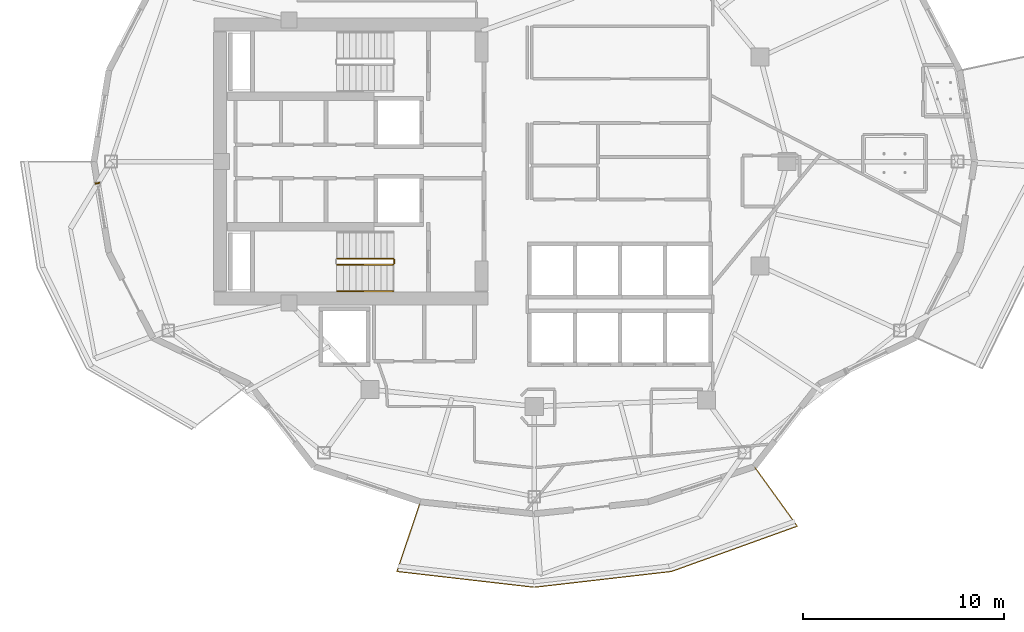
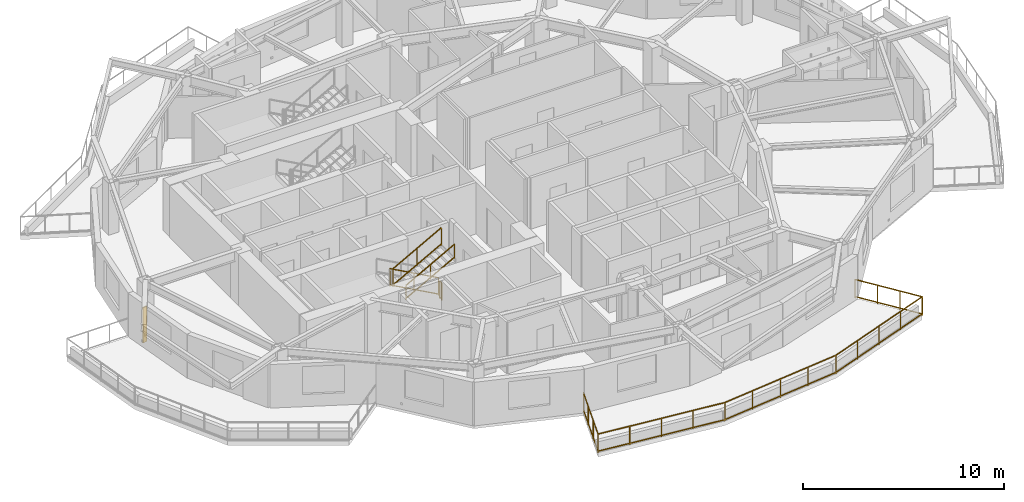
# One storey, part 11 of 14: 5 railings, 1 shading device.
"""IFC4 building model written with IfcOpenShell, lengths in metres."""

from ifc_helpers import new_model, si_unit, direction, frame, origin, origin_2d, place, context, subcontext, project, spatial, rectangle, extrude, material, type_object, element, save


model = new_model("IFC4")

# Units and contexts
model_context = context("Model", 3, precision=1e-05, world=origin(), true_north=direction((0.0, 1.0)))
body_context = subcontext(model_context, "Body", "Model", "MODEL_VIEW")
ifc_project = project(units=[si_unit("LENGTHUNIT", "METRE"), si_unit("AREAUNIT", "SQUARE_METRE"), si_unit("VOLUMEUNIT", "CUBIC_METRE"), si_unit("PLANEANGLEUNIT", "RADIAN"), si_unit("MASSUNIT", "GRAM", prefix="KILO")], contexts=[model_context])

# Site, building, storey
site_placement = place(None, origin())
site = spatial("IfcSite", under=ifc_project, at=site_placement, CompositionType="ELEMENT")
building_placement = place(site_placement, origin())
building = spatial("IfcBuilding", under=site, at=building_placement, Name="Kolvaren Gate Tower and Convention Centre", CompositionType="ELEMENT")
storey_placement = place(building_placement, frame((0.0, 0.0, 173.300048828125)))
storey = spatial("IfcBuildingStorey", under=building, at=storey_placement, Name="L45", CompositionType="ELEMENT", Elevation=173.300048828125)

# Railings
ifc_material_1 = material(Name="Brushed Stainless Steel Grade 316L", Category="steel")
railing_type_1 = type_object("IfcRailingType", Name="ARCH-RL-GUARD-1150", PredefinedType="GUARDRAIL", material=ifc_material_1)
railing_1_placement = place(storey_placement, frame((23.10009765625, 22.169921875, 0.169921875)))
element("IfcRailing", 1, at=railing_1_placement, inside=storey, type_object=railing_type_1, Name="L45 ST-T2 stair guard 1", PredefinedType="GUARDRAIL", context=body_context, shape_type="SweptSolid", body=[
    extrude(rectangle(XDim=0.048095703125, YDim=0.048095703125, at=origin_2d()), frame((0.0, 0.0, 1.076171875), z_axis=(-0.876811365212, 0.0, 0.480834513982), x_axis=(0.0, -1.0, 0.0)), (0.0, 0.0, 1.0), 3.18212890625),
    extrude(rectangle(XDim=0.048095703125, YDim=0.048095703125, at=origin_2d()), frame((0.0, 0.0, 0.083984375), z_axis=(-0.876811365212, 0.0, 0.480834513982), x_axis=(0.0, -1.0, 0.0)), (0.0, 0.0, 1.0), 3.18212890625),
    extrude(rectangle(XDim=0.0419921875, YDim=0.0419921875, at=origin_2d()), origin(), (0.0, 0.0, 1.0), 1.050048828125),
    extrude(rectangle(XDim=0.0419921875, YDim=0.0419921875, at=origin_2d()), frame((-2.7900390625, 0.0, 1.530029296875)), (0.0, 0.0, 1.0), 1.050048828125),
    extrude(rectangle(XDim=0.0419921875, YDim=0.0419921875, at=origin_2d()), frame((-1.39501953125, 0.0, 0.76513671875)), (0.0, 0.0, 1.0), 1.050048828125),
])
railing_2_placement = place(storey_placement, frame((20.31005859375, 21.8701171875, 1.869873046875)))
element("IfcRailing", 2, at=railing_2_placement, inside=storey, type_object=railing_type_1, Name="L45 ST-T2 stair guard 3", PredefinedType="GUARDRAIL", context=body_context, shape_type="SweptSolid", body=[
    extrude(rectangle(XDim=0.048095703125, YDim=0.048095703125, at=origin_2d()), frame((0.0, 0.0, 1.076171875), z_axis=(0.876811365212, 0.0, 0.480834513982), x_axis=(0.0, 1.0, 0.0)), (0.0, 0.0, 1.0), 3.18212890625),
    extrude(rectangle(XDim=0.048095703125, YDim=0.048095703125, at=origin_2d()), frame((0.0, 0.0, 0.083984375), z_axis=(0.876811365212, 0.0, 0.480834513982), x_axis=(0.0, 1.0, 0.0)), (0.0, 0.0, 1.0), 3.18212890625),
    extrude(rectangle(XDim=0.0419921875, YDim=0.0419921875, at=origin_2d()), origin(), (0.0, 0.0, 1.0), 1.050048828125),
    extrude(rectangle(XDim=0.0419921875, YDim=0.0419921875, at=origin_2d()), frame((2.7900390625, 0.0, 1.530029296875)), (0.0, 0.0, 1.0), 1.050048828125),
    extrude(rectangle(XDim=0.0419921875, YDim=0.0419921875, at=origin_2d()), frame((1.39501953125, 0.0, 0.76513671875)), (0.0, 0.0, 1.0), 1.050048828125),
])
railing_3_placement = place(storey_placement, frame((23.14990234375, 22.1201171875, 0.0)))
element("IfcRailing", 3, at=railing_3_placement, inside=storey, type_object=railing_type_1, Name="L45 ST-T2 stair guard 4", PredefinedType="GUARDRAIL", context=body_context, shape_type="SweptSolid", body=[
    extrude(rectangle(XDim=0.048095703125, YDim=0.048095703125, at=origin_2d()), frame((0.0, 0.0, 1.076171875), z_axis=(0.0, -1.0, 0.0), x_axis=(1.0, 0.0, 0.0)), (0.0, 0.0, 1.0), 0.2001953125),
    extrude(rectangle(XDim=0.048095703125, YDim=0.048095703125, at=origin_2d()), frame((0.0, 0.0, 0.083984375), z_axis=(0.0, -1.0, 0.0), x_axis=(1.0, 0.0, 0.0)), (0.0, 0.0, 1.0), 0.2001953125),
    extrude(rectangle(XDim=0.0419921875, YDim=0.0419921875, at=origin_2d()), origin(), (0.0, 0.0, 1.0), 1.050048828125),
    extrude(rectangle(XDim=0.0419921875, YDim=0.0419921875, at=origin_2d()), frame((0.0, -0.2001953125, 0.0)), (0.0, 0.0, 1.0), 1.050048828125),
])
railing_4_placement = place(storey_placement, frame((24.447265625, 10.048095703125, 0.0)))
element("IfcRailing", 4, at=railing_4_placement, inside=storey, type_object=railing_type_1, Name="Tower L45 Terrace Perimeter Guardrail GR-3", PredefinedType="GUARDRAIL", context=body_context, shape_type="SweptSolid", body=[
    extrude(rectangle(XDim=0.048095703125, YDim=0.048095703125, at=origin_2d()), frame((-0.0087890625, -0.026611328125, 1.1259765625), z_axis=(-0.317568160167, -0.94823544737, 0.0), x_axis=(0.94823544737, -0.317568160167, 0.0)), (0.0, 0.0, 1.0), 3.60400390625),
    extrude(rectangle(XDim=0.048095703125, YDim=0.048095703125, at=origin_2d()), frame((-0.0087890625, -0.026611328125, 0.083984375), z_axis=(-0.317568160167, -0.94823544737, 0.0), x_axis=(0.94823544737, -0.317568160167, 0.0)), (0.0, 0.0, 1.0), 3.60400390625),
    extrude(rectangle(XDim=0.048095703125, YDim=0.048095703125, at=origin_2d()), frame((-1.134521484375, -3.473876953125, 1.1259765625), z_axis=(0.993440112849, -0.114353584036, 0.0), x_axis=(0.114353584036, 0.993440112849, 0.0)), (0.0, 0.0, 1.0), 6.8291015625),
    extrude(rectangle(XDim=0.048095703125, YDim=0.048095703125, at=origin_2d()), frame((-1.134521484375, -3.473876953125, 0.083984375), z_axis=(0.993440112849, -0.114353584036, 0.0), x_axis=(0.114353584036, 0.993440112849, 0.0)), (0.0, 0.0, 1.0), 6.8291015625),
    extrude(rectangle(XDim=0.048095703125, YDim=0.048095703125, at=origin_2d()), frame((5.70556640625, -4.2548828125, 1.1259765625), z_axis=(0.993440112849, 0.114353584036, 0.0), x_axis=(-0.114353584036, 0.993440112849, 0.0)), (0.0, 0.0, 1.0), 6.8291015625),
    extrude(rectangle(XDim=0.048095703125, YDim=0.048095703125, at=origin_2d()), frame((5.70556640625, -4.2548828125, 0.083984375), z_axis=(0.993440112849, 0.114353584036, 0.0), x_axis=(-0.114353584036, 0.993440112849, 0.0)), (0.0, 0.0, 1.0), 6.8291015625),
    extrude(rectangle(XDim=0.048095703125, YDim=0.048095703125, at=origin_2d()), frame((12.544189453125, -3.461181640625, 1.1259765625), z_axis=(0.940948576924, 0.338549517184, 0.0), x_axis=(-0.338549517184, 0.940948576924, 0.0)), (0.0, 0.0, 1.0), 6.60791015625),
    extrude(rectangle(XDim=0.048095703125, YDim=0.048095703125, at=origin_2d()), frame((12.544189453125, -3.461181640625, 0.083984375), z_axis=(0.940948576924, 0.338549517184, 0.0), x_axis=(-0.338549517184, 0.940948576924, 0.0)), (0.0, 0.0, 1.0), 6.60791015625),
    extrude(rectangle(XDim=0.048095703125, YDim=0.048095703125, at=origin_2d()), frame((18.77197265625, -1.19189453125, 1.1259765625), z_axis=(-0.585212870465, 0.810879705161, 0.0), x_axis=(-0.810879705161, -0.585212870465, 0.0)), (0.0, 0.0, 1.0), 3.603759765625),
    extrude(rectangle(XDim=0.048095703125, YDim=0.048095703125, at=origin_2d()), frame((18.77197265625, -1.19189453125, 0.083984375), z_axis=(-0.585212870465, 0.810879705161, 0.0), x_axis=(-0.810879705161, -0.585212870465, 0.0)), (0.0, 0.0, 1.0), 3.603759765625),
    extrude(rectangle(XDim=0.0419921875, YDim=0.0419921875, at=origin_2d()), origin(), (0.0, 0.0, 1.0), 1.14990234375),
    extrude(rectangle(XDim=0.0419921875, YDim=0.0419921875, at=origin_2d()), frame((-1.162353515625, -3.470703125, 0.0)), (0.0, 0.0, 1.0), 1.14990234375),
    extrude(rectangle(XDim=0.0419921875, YDim=0.0419921875, at=origin_2d()), frame((-0.387451171875, -1.156982421875, 0.0)), (0.0, 0.0, 1.0), 1.099853515625),
    extrude(rectangle(XDim=0.0419921875, YDim=0.0419921875, at=origin_2d()), frame((-0.77490234375, -2.313720703125, 0.0)), (0.0, 0.0, 1.0), 1.099853515625),
    extrude(rectangle(XDim=0.0419921875, YDim=0.0419921875, at=origin_2d()), frame((5.677734375, -4.258056640625, 0.0)), (0.0, 0.0, 1.0), 1.14990234375),
    extrude(rectangle(XDim=0.0419921875, YDim=0.0419921875, at=origin_2d()), frame((0.547607421875, -3.66748046875, 0.0)), (0.0, 0.0, 1.0), 1.099853515625),
    extrude(rectangle(XDim=0.0419921875, YDim=0.0419921875, at=origin_2d()), frame((2.2578125, -3.8642578125, 0.0)), (0.0, 0.0, 1.0), 1.099853515625),
    extrude(rectangle(XDim=0.0419921875, YDim=0.0419921875, at=origin_2d()), frame((3.9677734375, -4.061279296875, 0.0)), (0.0, 0.0, 1.0), 1.099853515625),
    extrude(rectangle(XDim=0.0419921875, YDim=0.0419921875, at=origin_2d()), frame((12.517822265625, -3.470703125, 0.0)), (0.0, 0.0, 1.0), 1.14990234375),
    extrude(rectangle(XDim=0.0419921875, YDim=0.0419921875, at=origin_2d()), frame((7.3876953125, -4.061279296875, 0.0)), (0.0, 0.0, 1.0), 1.099853515625),
    extrude(rectangle(XDim=0.0419921875, YDim=0.0419921875, at=origin_2d()), frame((9.09765625, -3.8642578125, 0.0)), (0.0, 0.0, 1.0), 1.099853515625),
    extrude(rectangle(XDim=0.0419921875, YDim=0.0419921875, at=origin_2d()), frame((10.807861328125, -3.66748046875, 0.0)), (0.0, 0.0, 1.0), 1.099853515625),
    extrude(rectangle(XDim=0.0419921875, YDim=0.0419921875, at=origin_2d()), frame((18.788330078125, -1.214599609375, 0.0)), (0.0, 0.0, 1.0), 1.14990234375),
    extrude(rectangle(XDim=0.0419921875, YDim=0.0419921875, at=origin_2d()), frame((14.08544921875, -2.90673828125, 0.0)), (0.0, 0.0, 1.0), 1.099853515625),
    extrude(rectangle(XDim=0.0419921875, YDim=0.0419921875, at=origin_2d()), frame((15.653076171875, -2.3427734375, 0.0)), (0.0, 0.0, 1.0), 1.099853515625),
    extrude(rectangle(XDim=0.0419921875, YDim=0.0419921875, at=origin_2d()), frame((17.220703125, -1.778564453125, 0.0)), (0.0, 0.0, 1.0), 1.099853515625),
    extrude(rectangle(XDim=0.0419921875, YDim=0.0419921875, at=origin_2d()), frame((16.646484375, 1.753173828125, 0.0)), (0.0, 0.0, 1.0), 1.14990234375),
    extrude(rectangle(XDim=0.0419921875, YDim=0.0419921875, at=origin_2d()), frame((18.074462890625, -0.225341796875, 0.0)), (0.0, 0.0, 1.0), 1.099853515625),
    extrude(rectangle(XDim=0.0419921875, YDim=0.0419921875, at=origin_2d()), frame((17.3603515625, 0.763916015625, 0.0)), (0.0, 0.0, 1.0), 1.099853515625),
])
railing_type_2 = type_object("IfcRailingType", Name="ARCH-RL-HANDRAIL-920", PredefinedType="HANDRAIL", material=ifc_material_1)
railing_5_placement = place(storey_placement, frame((20.31005859375, 20.550048828125, 1.869873046875)))
element("IfcRailing", 5, at=railing_5_placement, inside=storey, type_object=railing_type_2, Name="L45 ST-T2 stair handrail 2", PredefinedType="HANDRAIL", context=body_context, shape_type="SweptSolid", body=[
    extrude(rectangle(XDim=0.048095703125, YDim=0.048095703125, at=origin_2d()), frame((0.0, 0.0, 0.8759765625), z_axis=(0.876811365212, 0.0, 0.480834513982), x_axis=(0.0, 1.0, 0.0)), (0.0, 0.0, 1.0), 3.18212890625),
    extrude(rectangle(XDim=0.048095703125, YDim=0.048095703125, at=origin_2d()), frame((0.0, 0.0, 0.083984375), z_axis=(0.876811365212, 0.0, 0.480834513982), x_axis=(0.0, 1.0, 0.0)), (0.0, 0.0, 1.0), 3.18212890625),
    extrude(rectangle(XDim=0.0419921875, YDim=0.0419921875, at=origin_2d()), origin(), (0.0, 0.0, 1.0), 0.849853515625),
    extrude(rectangle(XDim=0.0419921875, YDim=0.0419921875, at=origin_2d()), frame((2.7900390625, 0.0, 1.530029296875)), (0.0, 0.0, 1.0), 0.849853515625),
    extrude(rectangle(XDim=0.0419921875, YDim=0.0419921875, at=origin_2d()), frame((1.39501953125, 0.0, 0.76513671875)), (0.0, 0.0, 1.0), 0.849853515625),
])

# Shading device
ifc_material_2 = material(Name="Kiln-Fired Bogota Terracotta Ceramic Louvre Profile", Category="masonry")
shading_device_type = type_object("IfcShadingDeviceType", Name="ARCH-SHD-FIN-180", PredefinedType="JALOUSIE", material=ifc_material_2)
shading_device_placement = place(storey_placement, frame((8.36474609375, 25.922607421875, 0.219970703125), z_axis=(0.0, 0.0, 1.0), x_axis=(0.162380568014, -0.986728205298, 0.0)))
element("IfcShadingDevice", 6, at=shading_device_placement, inside=storey, type_object=shading_device_type, Name="Ceramic Vertical Brise-Soleil Fin FN-L45-12", PredefinedType="JALOUSIE", context=body_context, shape_type="SweptSolid", body=[
    extrude(rectangle(XDim=0.06005859375, YDim=0.239990234375, at=origin_2d()), origin(), (0.0, 0.0, 1.0), 2.14990234375),
])

save(model, "model.ifc")
